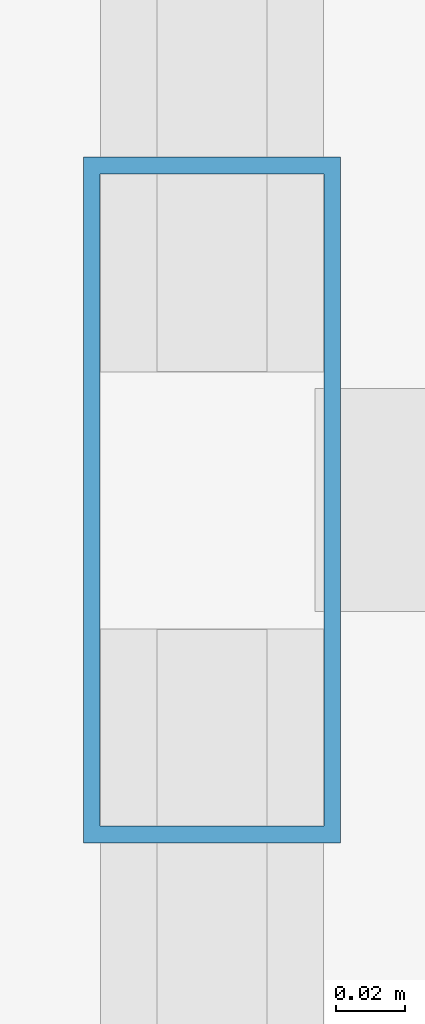
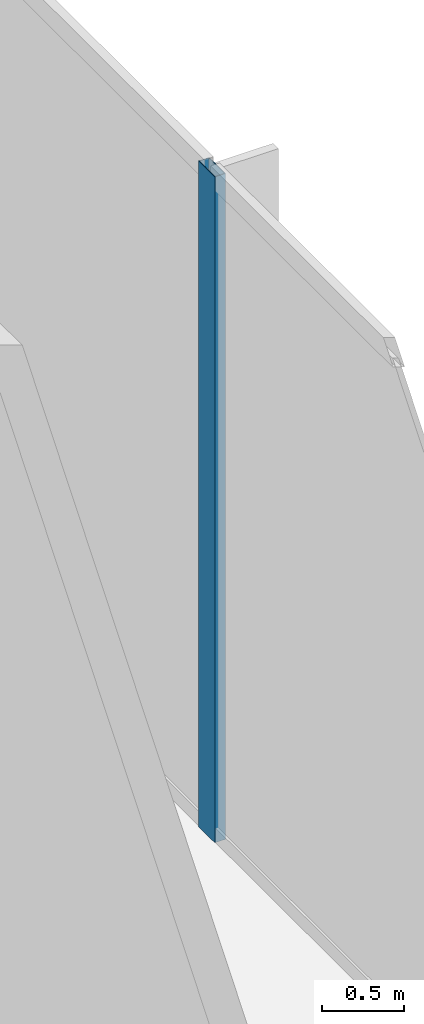
# One storey, part 17 of 43: 1 member, 1 element without a shape of its own.
"""IFC4 building model written with IfcOpenShell, lengths in metres."""

from ifc_helpers import new_model, si_unit, direction, frame, origin, origin_2d, place, context, subcontext, project, spatial, hollow_rectangle, extrude, material, layer, layer_set, material_profile, profile_set, type_object, element, aggregate, save


model = new_model("IFC4")

# Units and contexts
model_context = context("Model", 3, precision=1e-05, world=origin(), true_north=direction((0.0, 1.0)))
body_context = subcontext(model_context, "Body", "Model", "MODEL_VIEW")
ifc_project = project(units=[si_unit("LENGTHUNIT", "METRE"), si_unit("AREAUNIT", "SQUARE_METRE"), si_unit("VOLUMEUNIT", "CUBIC_METRE"), si_unit("PLANEANGLEUNIT", "RADIAN"), si_unit("MASSUNIT", "GRAM", prefix="KILO")], contexts=[model_context])

# Site, building, storey
site_placement = place(None, origin())
site = spatial("IfcSite", under=ifc_project, at=site_placement, CompositionType="ELEMENT")
building_placement = place(site_placement, origin())
building = spatial("IfcBuilding", under=site, at=building_placement, Name="Orvanel Arch Residences", CompositionType="ELEMENT")
storey_placement = place(building_placement, frame((0.0, 0.0, 18.39990234375)))
storey = spatial("IfcBuildingStorey", under=building, at=storey_placement, Name="L04", CompositionType="ELEMENT", Elevation=18.39990234375)

# Curtain wall, member
ifc_material = material(Name="Bronze-anodised aluminium AA6063-T6", Category="aluminium")
ifc_layer = layer(ifc_material, 0.199951171875)
ifc_layer_set = layer_set([ifc_layer], Name="Bronze-anodised aluminium AA6063-T6")
curtain_wall_type = type_object("IfcCurtainWallType", Name="CW1-POD-SYS", PredefinedType="NOTDEFINED", material=ifc_layer_set)
curtain_wall_placement = place(storey_placement, origin())
curtain_wall = element("IfcCurtainWall", 1, at=curtain_wall_placement, inside=storey, type_object=curtain_wall_type, Name="L04 CW1-POD-SYS Unitised Curtain Wall", PredefinedType="NOTDEFINED")
ifc_material_profile = material_profile(ifc_material, hollow_rectangle(XDim=0.074951171875, YDim=0.199951171875, WallThickness=0.0048828125, at=origin_2d()), Name="ALU200x75x5")
ifc_profile_set = profile_set([ifc_material_profile], Name="Bronze-anodised aluminium AA6063-T6")
member_type = type_object("IfcMemberType", Name="MUL-200x75", PredefinedType="MULLION", material=ifc_profile_set)
member_placement = place(storey_placement, frame((64.449951171875, 13.9951171875, 0.0), z_axis=(0.0, 0.0, 1.0), x_axis=(-1.0, 0.0, 0.0)))
member = element("IfcMember", 2, at=member_placement, type_object=member_type, Name="CW-S1 mullion 3", PredefinedType="MULLION", context=body_context, shape_type="SweptSolid", body=[
    extrude(hollow_rectangle(XDim=0.074951171875, YDim=0.199951171875, WallThickness=0.0048828125, at=origin_2d()), origin(), (0.0, 0.0, 1.0), 4.960205078125),
])
aggregate(curtain_wall, [member])

save(model, "model.ifc")
